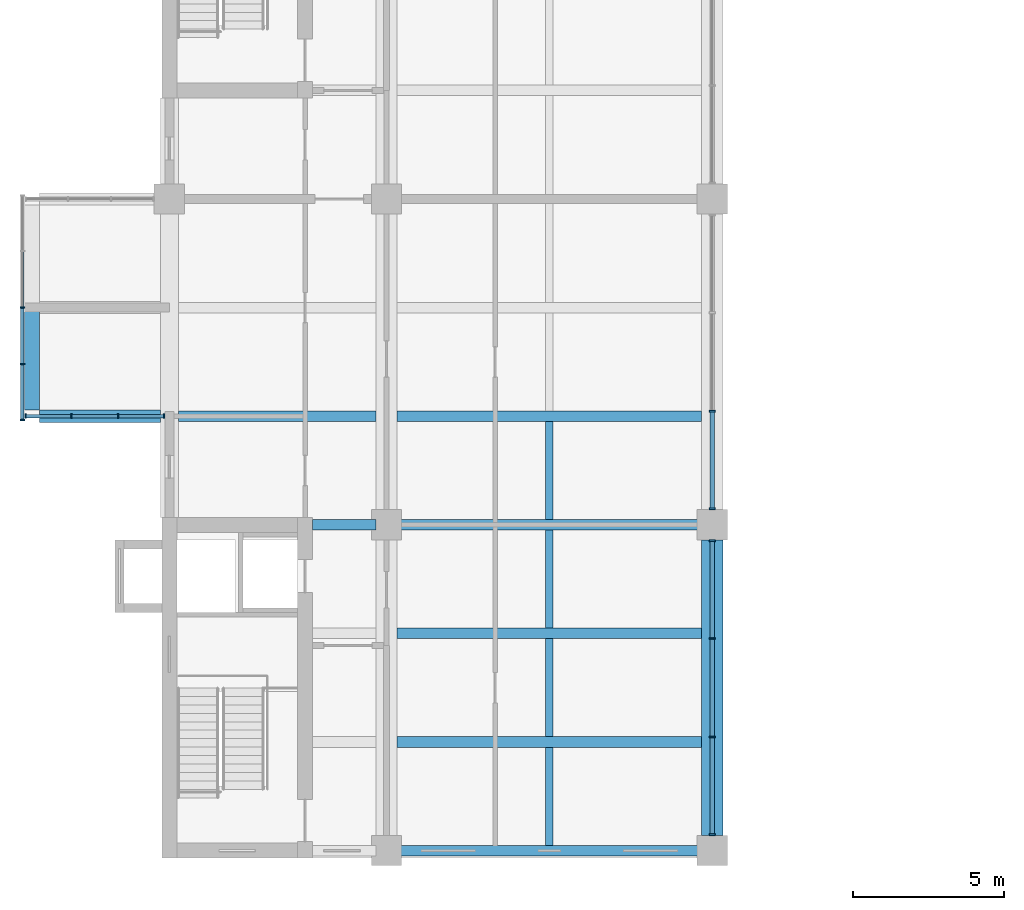
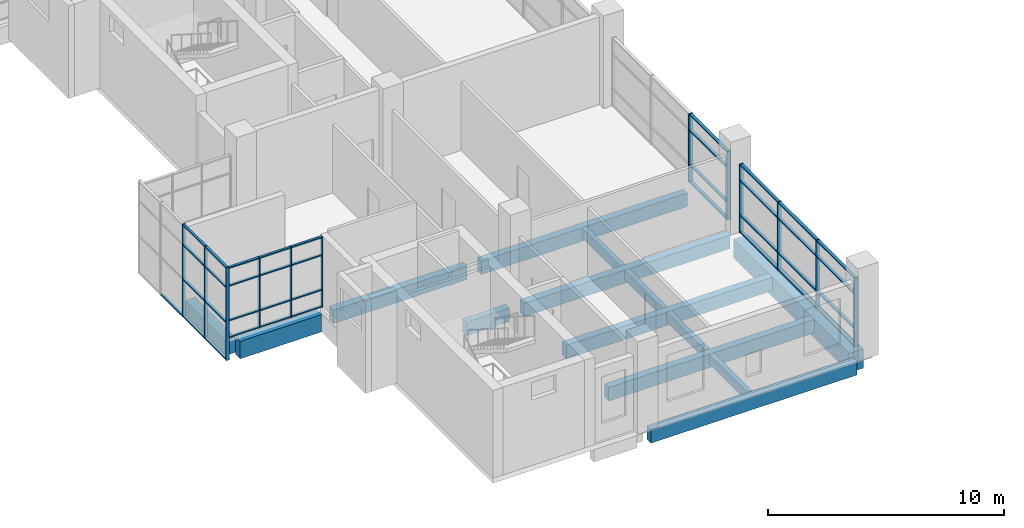
# One storey, part 2 of 30: 50 members, 14 beams, 4 elements without a shape of their own.
"""IFC4 building model written with IfcOpenShell, lengths in metres."""

from ifc_helpers import new_model, si_unit, direction, frame, origin, origin_2d, place, context, subcontext, project, spatial, rectangle, extrude, material, layer, layer_set, material_profile, profile_set, type_object, element, aggregate, save


model = new_model("IFC4")

# Units and contexts
model_context = context("Model", 3, precision=1e-05, world=origin(), true_north=direction((0.0, 1.0)))
body_context = subcontext(model_context, "Body", "Model", "MODEL_VIEW")
ifc_project = project(units=[si_unit("LENGTHUNIT", "METRE"), si_unit("AREAUNIT", "SQUARE_METRE"), si_unit("VOLUMEUNIT", "CUBIC_METRE"), si_unit("PLANEANGLEUNIT", "RADIAN"), si_unit("MASSUNIT", "GRAM", prefix="KILO")], contexts=[model_context])

# Site, building, storey
site_placement = place(None, origin())
site = spatial("IfcSite", under=ifc_project, at=site_placement, CompositionType="ELEMENT")
building_placement = place(site_placement, origin())
building = spatial("IfcBuilding", under=site, at=building_placement, Name="Basin Gate Institute", CompositionType="ELEMENT")
storey_placement = place(building_placement, frame((0.0, 0.0, 36.60009765625)))
storey = spatial("IfcBuildingStorey", under=building, at=storey_placement, Name="L07", CompositionType="ELEMENT", Elevation=36.60009765625)

# Beams
ifc_material_1 = material(Name="Concrete 40 MPa", Category="concrete")
ifc_material_profile_1 = material_profile(ifc_material_1, rectangle(XDim=0.35009765625, YDim=0.699951171875, at=origin_2d()), Name="Beam B1 350 x 700")
ifc_profile_set_1 = profile_set([ifc_material_profile_1], Name="Concrete 40 MPa")
beam_type_1 = type_object("IfcBeamType", Name="Beam B1 R120", PredefinedType="BEAM", material=ifc_profile_set_1)
for number, where, z_axis, x_axis, name in (
    (1, (68.75, 35.10009765625, -0.60009765625), (1.0, 0.0, 0.0), (0.0, 1.0, 0.0), "BEAM/L07/W/EW/01"),
    (2, (68.75, 38.699951171875, -0.60009765625), (1.0, 0.0, 0.0), (0.0, 1.0, 0.0), "BEAM/L07/W/EW/02"),
    (3, (68.75, 42.300048828125, -0.60009765625), (1.0, 0.0, 0.0), (0.0, 1.0, 0.0), "BEAM/L07/W/EW/03"),
    (4, (68.75, 45.89990234375, -0.60009765625), (1.0, 0.0, 0.0), (0.0, 1.0, 0.0), "BEAM/L07/W/EW/04"),
):
    element("IfcBeam", number, at=place(storey_placement, frame(where, z_axis=z_axis, x_axis=x_axis)), inside=storey, type_object=beam_type_1, material=ifc_profile_set_1, Name=name, PredefinedType="BEAM", context=body_context, shape_type="SweptSolid", body=[
        extrude(rectangle(XDim=0.35009765625, YDim=0.699951171875, at=origin_2d()), origin(), (0.0, 0.0, 1.0), 10.10009765625),
    ])
beam_1_placement = place(storey_placement, frame((65.949951171875, 45.89990234375, -0.60009765625), z_axis=(1.0, 0.0, 0.0), x_axis=(0.0, 1.0, 0.0)))
element("IfcBeam", 5, at=beam_1_placement, inside=storey, type_object=beam_type_1, material=ifc_profile_set_1, Name="BEAM/L07/W/CORR/04", PredefinedType="BEAM", context=body_context, shape_type="SweptSolid", body=[
    extrude(rectangle(XDim=0.35009765625, YDim=0.699951171875, at=origin_2d()), origin(), (0.0, 0.0, 1.0), 2.10009765625),
])
beam_2_placement = place(storey_placement, frame((68.75, 49.5, -0.60009765625), z_axis=(1.0, 0.0, 0.0), x_axis=(0.0, 1.0, 0.0)))
element("IfcBeam", 6, at=beam_2_placement, inside=storey, type_object=beam_type_1, material=ifc_profile_set_1, Name="BEAM/L07/W/EW/05", PredefinedType="BEAM", context=body_context, shape_type="SweptSolid", body=[
    extrude(rectangle(XDim=0.35009765625, YDim=0.699951171875, at=origin_2d()), origin(), (0.0, 0.0, 1.0), 10.10009765625),
])
beam_3_placement = place(storey_placement, frame((61.5, 49.5, -0.60009765625), z_axis=(1.0, 0.0, 0.0), x_axis=(0.0, 1.0, 0.0)))
element("IfcBeam", 7, at=beam_3_placement, inside=storey, type_object=beam_type_1, material=ifc_profile_set_1, Name="BEAM/L07/W/OUT/05", PredefinedType="BEAM", context=body_context, shape_type="SweptSolid", body=[
    extrude(rectangle(XDim=0.35009765625, YDim=0.699951171875, at=origin_2d()), origin(), (0.0, 0.0, 1.0), 6.550048828125),
])
ifc_material_2 = material(Name="Concrete 50 MPa", Category="concrete")
ifc_material_profile_2 = material_profile(ifc_material_2, rectangle(XDim=0.39990234375, YDim=0.89990234375, at=origin_2d()), Name="Cantilever beam B3 400 x 900")
ifc_profile_set_2 = profile_set([ifc_material_profile_2], Name="Concrete 50 MPa")
beam_type_2 = type_object("IfcBeamType", Name="Cantilever beam B3 R120", PredefinedType="BEAM", material=ifc_profile_set_2)
beam_4_placement = place(storey_placement, frame((56.89990234375, 49.5, -0.7001953125), z_axis=(1.0, 0.0, 0.0), x_axis=(0.0, 1.0, 0.0)))
element("IfcBeam", 8, at=beam_4_placement, inside=storey, type_object=beam_type_2, material=ifc_profile_set_2, Name="BEAM/L07/W/CANT/05", PredefinedType="BEAM", context=body_context, shape_type="SweptSolid", body=[
    extrude(rectangle(XDim=0.39990234375, YDim=0.89990234375, at=origin_2d()), origin(), (0.0, 0.0, 1.0), 4.0),
])
ifc_material_3 = material(Name="Concrete 50 MPa", Category="concrete")
ifc_material_profile_3 = material_profile(ifc_material_3, rectangle(XDim=0.699951171875, YDim=1.0, at=origin_2d()), Name="Girder G1 700 x 1000")
ifc_profile_set_3 = profile_set([ifc_material_profile_3], Name="Concrete 50 MPa")
beam_type_3 = type_object("IfcBeamType", Name="Girder G1 R120", PredefinedType="BEAM", material=ifc_profile_set_3)
beam_5_placement = place(storey_placement, frame((79.199951171875, 35.60009765625, -0.75), z_axis=(0.0, 1.0, 0.0), x_axis=(-1.0, 0.0, 0.0)))
element("IfcBeam", 9, at=beam_5_placement, inside=storey, type_object=beam_type_3, material=ifc_profile_set_3, Name="GIR/L07/W6/1", PredefinedType="BEAM", context=body_context, shape_type="SweptSolid", body=[
    extrude(rectangle(XDim=0.699951171875, YDim=1.0, at=origin_2d()), origin(), (0.0, 0.0, 1.0), 9.7998046875),
])

# Curtain wall, members
ifc_material_4 = material(Name="Aluminium-framed glazing", Category="aluminium")
ifc_layer_1 = layer(ifc_material_4, 0.14990234375)
ifc_layer_set_1 = layer_set([ifc_layer_1], Name="Capsule front curtain wall CW1")
curtain_wall_type_1 = type_object("IfcCurtainWallType", Name="Capsule front curtain wall CW1", PredefinedType="NOTDEFINED", material=ifc_layer_set_1)
curtain_wall_1_placement = place(storey_placement, origin())
curtain_wall_1 = element("IfcCurtainWall", 10, at=curtain_wall_1_placement, inside=storey, type_object=curtain_wall_type_1, material=ifc_layer_set_1, Name="Capsule front curtain wall W wing capsule end L07 line 5", PredefinedType="NOTDEFINED")
ifc_material_5 = material(Name="Aluminium", Category="aluminium")
ifc_material_profile_4 = material_profile(ifc_material_5, rectangle(XDim=0.14990234375, YDim=0.050048828125, at=origin_2d()), Name="Mullion MU1 150 x 50")
ifc_profile_set_4 = profile_set([ifc_material_profile_4], Name="Aluminium")
member_type_1 = type_object("IfcMemberType", Name="Mullion MU1", PredefinedType="MULLION", material=ifc_profile_set_4)
member_1_placement = place(storey_placement, frame((56.425048828125, 49.5, 0.0), z_axis=(0.0, 0.0, 1.0), x_axis=(0.0, 1.0, 0.0)))
member_1 = element("IfcMember", 11, at=member_1_placement, type_object=member_type_1, material=ifc_profile_set_4, Name="CW1 mullion 1", PredefinedType="MULLION", context=body_context, shape_type="SweptSolid", body=[
    extrude(rectangle(XDim=0.14990234375, YDim=0.050048828125, at=origin_2d()), origin(), (0.0, 0.0, 1.0), 3.64990234375),
])
member_2_placement = place(storey_placement, frame((57.949951171875, 49.5, 0.0), z_axis=(0.0, 0.0, 1.0), x_axis=(0.0, 1.0, 0.0)))
member_2 = element("IfcMember", 12, at=member_2_placement, type_object=member_type_1, material=ifc_profile_set_4, Name="CW1 mullion 2", PredefinedType="MULLION", context=body_context, shape_type="SweptSolid", body=[
    extrude(rectangle(XDim=0.14990234375, YDim=0.050048828125, at=origin_2d()), origin(), (0.0, 0.0, 1.0), 3.64990234375),
])
member_3_placement = place(storey_placement, frame((59.5, 49.5, 0.0), z_axis=(0.0, 0.0, 1.0), x_axis=(0.0, 1.0, 0.0)))
member_3 = element("IfcMember", 13, at=member_3_placement, type_object=member_type_1, material=ifc_profile_set_4, Name="CW1 mullion 3", PredefinedType="MULLION", context=body_context, shape_type="SweptSolid", body=[
    extrude(rectangle(XDim=0.14990234375, YDim=0.050048828125, at=origin_2d()), origin(), (0.0, 0.0, 1.0), 3.64990234375),
])
member_4_placement = place(storey_placement, frame((61.02490234375, 49.5, 0.0), z_axis=(0.0, 0.0, 1.0), x_axis=(0.0, 1.0, 0.0)))
member_4 = element("IfcMember", 14, at=member_4_placement, type_object=member_type_1, material=ifc_profile_set_4, Name="CW1 mullion 4", PredefinedType="MULLION", context=body_context, shape_type="SweptSolid", body=[
    extrude(rectangle(XDim=0.14990234375, YDim=0.050048828125, at=origin_2d()), origin(), (0.0, 0.0, 1.0), 3.64990234375),
])

curtain_wall_2_placement = place(storey_placement, origin())
curtain_wall_2 = element("IfcCurtainWall", 15, at=curtain_wall_2_placement, inside=storey, type_object=curtain_wall_type_1, material=ifc_layer_set_1, Name="Capsule front curtain wall W wing capsule 1 L07 front 2", PredefinedType="NOTDEFINED")
member_5_placement = place(storey_placement, frame((56.324951171875, 49.375, -1.050048828125), z_axis=(0.0, 0.0, 1.0), x_axis=(-1.0, 0.0, 0.0)))
member_5 = element("IfcMember", 16, at=member_5_placement, type_object=member_type_1, material=ifc_profile_set_4, Name="CW1 mullion 1", PredefinedType="MULLION", context=body_context, shape_type="SweptSolid", body=[
    extrude(rectangle(XDim=0.14990234375, YDim=0.050048828125, at=origin_2d()), origin(), (0.0, 0.0, 1.0), 4.800048828125),
])
member_6_placement = place(storey_placement, frame((56.324951171875, 51.22509765625, -1.050048828125), z_axis=(0.0, 0.0, 1.0), x_axis=(-1.0, 0.0, 0.0)))
member_6 = element("IfcMember", 17, at=member_6_placement, type_object=member_type_1, material=ifc_profile_set_4, Name="CW1 mullion 2", PredefinedType="MULLION", context=body_context, shape_type="SweptSolid", body=[
    extrude(rectangle(XDim=0.14990234375, YDim=0.050048828125, at=origin_2d()), origin(), (0.0, 0.0, 1.0), 4.800048828125),
])
member_7_placement = place(storey_placement, frame((56.324951171875, 53.10009765625, -1.050048828125), z_axis=(0.0, 0.0, 1.0), x_axis=(-1.0, 0.0, 0.0)))
member_7 = element("IfcMember", 18, at=member_7_placement, type_object=member_type_1, material=ifc_profile_set_4, Name="CW1 mullion 3", PredefinedType="MULLION", context=body_context, shape_type="SweptSolid", body=[
    extrude(rectangle(XDim=0.14990234375, YDim=0.050048828125, at=origin_2d()), origin(), (0.0, 0.0, 1.0), 4.800048828125),
])

ifc_material_6 = material(Name="Aluminium-framed glazing", Category="aluminium")
ifc_layer_2 = layer(ifc_material_6, 0.199951171875)
ifc_layer_set_2 = layer_set([ifc_layer_2], Name="Atrium curtain wall CW2")
curtain_wall_type_2 = type_object("IfcCurtainWallType", Name="Atrium curtain wall CW2", PredefinedType="NOTDEFINED", material=ifc_layer_set_2)
curtain_wall_3_placement = place(storey_placement, origin())
curtain_wall_3 = element("IfcCurtainWall", 19, at=curtain_wall_3_placement, inside=storey, type_object=curtain_wall_type_2, material=ifc_layer_set_2, Name="Atrium curtain wall W wing atrium bay 1 L07", PredefinedType="NOTDEFINED")
ifc_material_7 = material(Name="Aluminium", Category="aluminium")
ifc_material_profile_5 = material_profile(ifc_material_7, rectangle(XDim=0.199951171875, YDim=0.06005859375, at=origin_2d()), Name="Mullion MU2 200 x 60")
ifc_profile_set_5 = profile_set([ifc_material_profile_5], Name="Aluminium")
member_type_2 = type_object("IfcMemberType", Name="Mullion MU2", PredefinedType="MULLION", material=ifc_profile_set_5)
member_8_placement = place(storey_placement, frame((79.199951171875, 35.6298828125, 0.0), z_axis=(0.0, 0.0, 1.0), x_axis=(-1.0, 0.0, 0.0)))
member_8 = element("IfcMember", 20, at=member_8_placement, type_object=member_type_2, material=ifc_profile_set_5, Name="CW2 mullion 1", PredefinedType="MULLION", context=body_context, shape_type="SweptSolid", body=[
    extrude(rectangle(XDim=0.199951171875, YDim=0.06005859375, at=origin_2d()), origin(), (0.0, 0.0, 1.0), 3.5498046875),
])
member_9_placement = place(storey_placement, frame((79.199951171875, 38.86669921875, 0.0), z_axis=(0.0, 0.0, 1.0), x_axis=(-1.0, 0.0, 0.0)))
member_9 = element("IfcMember", 21, at=member_9_placement, type_object=member_type_2, material=ifc_profile_set_5, Name="CW2 mullion 2", PredefinedType="MULLION", context=body_context, shape_type="SweptSolid", body=[
    extrude(rectangle(XDim=0.199951171875, YDim=0.06005859375, at=origin_2d()), origin(), (0.0, 0.0, 1.0), 3.5498046875),
])
member_10_placement = place(storey_placement, frame((79.199951171875, 42.13330078125, 0.0), z_axis=(0.0, 0.0, 1.0), x_axis=(-1.0, 0.0, 0.0)))
member_10 = element("IfcMember", 22, at=member_10_placement, type_object=member_type_2, material=ifc_profile_set_5, Name="CW2 mullion 3", PredefinedType="MULLION", context=body_context, shape_type="SweptSolid", body=[
    extrude(rectangle(XDim=0.199951171875, YDim=0.06005859375, at=origin_2d()), origin(), (0.0, 0.0, 1.0), 3.5498046875),
])
member_11_placement = place(storey_placement, frame((79.199951171875, 45.3701171875, 0.0), z_axis=(0.0, 0.0, 1.0), x_axis=(-1.0, 0.0, 0.0)))
member_11 = element("IfcMember", 23, at=member_11_placement, type_object=member_type_2, material=ifc_profile_set_5, Name="CW2 mullion 4", PredefinedType="MULLION", context=body_context, shape_type="SweptSolid", body=[
    extrude(rectangle(XDim=0.199951171875, YDim=0.06005859375, at=origin_2d()), origin(), (0.0, 0.0, 1.0), 3.5498046875),
])

curtain_wall_4_placement = place(storey_placement, origin())
curtain_wall_4 = element("IfcCurtainWall", 24, at=curtain_wall_4_placement, inside=storey, type_object=curtain_wall_type_2, material=ifc_layer_set_2, Name="Atrium curtain wall W wing atrium bay 2 L07", PredefinedType="NOTDEFINED")
member_12_placement = place(storey_placement, frame((79.199951171875, 46.429931640625, 0.0), z_axis=(0.0, 0.0, 1.0), x_axis=(-1.0, 0.0, 0.0)))
member_12 = element("IfcMember", 25, at=member_12_placement, type_object=member_type_2, material=ifc_profile_set_5, Name="CW2 mullion 1", PredefinedType="MULLION", context=body_context, shape_type="SweptSolid", body=[
    extrude(rectangle(XDim=0.199951171875, YDim=0.06005859375, at=origin_2d()), origin(), (0.0, 0.0, 1.0), 3.5498046875),
])
member_13_placement = place(storey_placement, frame((79.199951171875, 49.666748046875, 0.0), z_axis=(0.0, 0.0, 1.0), x_axis=(-1.0, 0.0, 0.0)))
member_13 = element("IfcMember", 26, at=member_13_placement, type_object=member_type_2, material=ifc_profile_set_5, Name="CW2 mullion 2", PredefinedType="MULLION", context=body_context, shape_type="SweptSolid", body=[
    extrude(rectangle(XDim=0.199951171875, YDim=0.06005859375, at=origin_2d()), origin(), (0.0, 0.0, 1.0), 3.5498046875),
])

# Beams
ifc_material_8 = material(Name="Concrete 40 MPa", Category="concrete")
ifc_material_profile_6 = material_profile(ifc_material_8, rectangle(XDim=0.25, YDim=0.5, at=origin_2d()), Name="Rib R1 250 x 500")
ifc_profile_set_6 = profile_set([ifc_material_profile_6], Name="Concrete 40 MPa")
beam_type_4 = type_object("IfcBeamType", Name="Rib R1 R120", PredefinedType="JOIST", material=ifc_profile_set_6)
for number, where, z_axis, x_axis, name in (
    (27, (73.800048828125, 35.27490234375, -0.5), (0.0, 1.0, 0.0), (-1.0, 0.0, 0.0), "BEAM/L07/W/RIB/01"),
    (28, (73.800048828125, 38.875, -0.5), (0.0, 1.0, 0.0), (-1.0, 0.0, 0.0), "BEAM/L07/W/RIB/02"),
    (29, (73.800048828125, 42.47509765625, -0.5), (0.0, 1.0, 0.0), (-1.0, 0.0, 0.0), "BEAM/L07/W/RIB/03"),
    (30, (73.800048828125, 46.074951171875, -0.5), (0.0, 1.0, 0.0), (-1.0, 0.0, 0.0), "BEAM/L07/W/RIB/04"),
):
    element("IfcBeam", number, at=place(storey_placement, frame(where, z_axis=z_axis, x_axis=x_axis)), inside=storey, type_object=beam_type_4, material=ifc_profile_set_6, Name=name, PredefinedType="JOIST", context=body_context, shape_type="SweptSolid", body=[
        extrude(rectangle(XDim=0.25, YDim=0.5, at=origin_2d()), origin(), (0.0, 0.0, 1.0), 3.25),
    ])
ifc_material_9 = material(Name="Concrete 50 MPa", Category="concrete")
ifc_material_profile_7 = material_profile(ifc_material_9, rectangle(XDim=0.5, YDim=0.800048828125, at=origin_2d()), Name="Tip beam TB1 500 x 800")
ifc_profile_set_7 = profile_set([ifc_material_profile_7], Name="Concrete 50 MPa")
beam_type_5 = type_object("IfcBeamType", Name="Tip beam TB1 R120", PredefinedType="SPANDREL", material=ifc_profile_set_7)
beam_6_placement = place(storey_placement, frame((56.64990234375, 49.699951171875, -0.650146484375), z_axis=(0.0, 1.0, 0.0), x_axis=(-1.0, 0.0, 0.0)))
element("IfcBeam", 31, at=beam_6_placement, inside=storey, type_object=beam_type_5, material=ifc_profile_set_7, Name="BEAM/L07/W/TIP/2", PredefinedType="SPANDREL", context=body_context, shape_type="SweptSolid", body=[
    extrude(rectangle(XDim=0.5, YDim=0.800048828125, at=origin_2d()), origin(), (0.0, 0.0, 1.0), 3.400146484375),
])

# Member
ifc_material_10 = material(Name="Aluminium", Category="aluminium")
ifc_material_profile_8 = material_profile(ifc_material_10, rectangle(XDim=0.1201171875, YDim=0.06005859375, at=origin_2d()), Name="Transom TR1 120 x 60")
ifc_profile_set_8 = profile_set([ifc_material_profile_8], Name="Aluminium")
member_type_3 = type_object("IfcMemberType", Name="Transom TR1", PredefinedType="USERDEFINED", material=ifc_profile_set_8)
member_14_placement = place(storey_placement, frame((56.449951171875, 49.5, 0.02978515625), z_axis=(1.0, 0.0, 0.0), x_axis=(0.0, 1.0, 0.0)))
member_14 = element("IfcMember", 32, at=member_14_placement, type_object=member_type_3, material=ifc_profile_set_8, Name="CW1 transom 1.1", ObjectType="TRANSOM", PredefinedType="USERDEFINED", context=body_context, shape_type="SweptSolid", body=[
    extrude(rectangle(XDim=0.1201171875, YDim=0.06005859375, at=origin_2d()), origin(), (0.0, 0.0, 1.0), 1.47509765625),
])

member_15_placement = place(storey_placement, frame((56.449951171875, 49.5, 0.89990234375), z_axis=(1.0, 0.0, 0.0), x_axis=(0.0, 1.0, 0.0)))
member_15 = element("IfcMember", 33, at=member_15_placement, type_object=member_type_3, material=ifc_profile_set_8, Name="CW1 transom 1.2", ObjectType="TRANSOM", PredefinedType="USERDEFINED", context=body_context, shape_type="SweptSolid", body=[
    extrude(rectangle(XDim=0.1201171875, YDim=0.06005859375, at=origin_2d()), origin(), (0.0, 0.0, 1.0), 1.47509765625),
])

member_16_placement = place(storey_placement, frame((56.449951171875, 49.5, 2.699951171875), z_axis=(1.0, 0.0, 0.0), x_axis=(0.0, 1.0, 0.0)))
member_16 = element("IfcMember", 34, at=member_16_placement, type_object=member_type_3, material=ifc_profile_set_8, Name="CW1 transom 1.3", ObjectType="TRANSOM", PredefinedType="USERDEFINED", context=body_context, shape_type="SweptSolid", body=[
    extrude(rectangle(XDim=0.1201171875, YDim=0.06005859375, at=origin_2d()), origin(), (0.0, 0.0, 1.0), 1.47509765625),
])

member_17_placement = place(storey_placement, frame((56.449951171875, 49.5, 3.619873046875), z_axis=(1.0, 0.0, 0.0), x_axis=(0.0, 1.0, 0.0)))
member_17 = element("IfcMember", 35, at=member_17_placement, type_object=member_type_3, material=ifc_profile_set_8, Name="CW1 transom 1.4", ObjectType="TRANSOM", PredefinedType="USERDEFINED", context=body_context, shape_type="SweptSolid", body=[
    extrude(rectangle(XDim=0.1201171875, YDim=0.06005859375, at=origin_2d()), origin(), (0.0, 0.0, 1.0), 1.47509765625),
])

member_18_placement = place(storey_placement, frame((57.97509765625, 49.5, 0.02978515625), z_axis=(1.0, 0.0, 0.0), x_axis=(0.0, 1.0, 0.0)))
member_18 = element("IfcMember", 36, at=member_18_placement, type_object=member_type_3, material=ifc_profile_set_8, Name="CW1 transom 2.1", ObjectType="TRANSOM", PredefinedType="USERDEFINED", context=body_context, shape_type="SweptSolid", body=[
    extrude(rectangle(XDim=0.1201171875, YDim=0.06005859375, at=origin_2d()), origin(), (0.0, 0.0, 1.0), 1.5),
])

member_19_placement = place(storey_placement, frame((57.97509765625, 49.5, 0.89990234375), z_axis=(1.0, 0.0, 0.0), x_axis=(0.0, 1.0, 0.0)))
member_19 = element("IfcMember", 37, at=member_19_placement, type_object=member_type_3, material=ifc_profile_set_8, Name="CW1 transom 2.2", ObjectType="TRANSOM", PredefinedType="USERDEFINED", context=body_context, shape_type="SweptSolid", body=[
    extrude(rectangle(XDim=0.1201171875, YDim=0.06005859375, at=origin_2d()), origin(), (0.0, 0.0, 1.0), 1.5),
])

member_20_placement = place(storey_placement, frame((57.97509765625, 49.5, 2.699951171875), z_axis=(1.0, 0.0, 0.0), x_axis=(0.0, 1.0, 0.0)))
member_20 = element("IfcMember", 38, at=member_20_placement, type_object=member_type_3, material=ifc_profile_set_8, Name="CW1 transom 2.3", ObjectType="TRANSOM", PredefinedType="USERDEFINED", context=body_context, shape_type="SweptSolid", body=[
    extrude(rectangle(XDim=0.1201171875, YDim=0.06005859375, at=origin_2d()), origin(), (0.0, 0.0, 1.0), 1.5),
])

member_21_placement = place(storey_placement, frame((57.97509765625, 49.5, 3.619873046875), z_axis=(1.0, 0.0, 0.0), x_axis=(0.0, 1.0, 0.0)))
member_21 = element("IfcMember", 39, at=member_21_placement, type_object=member_type_3, material=ifc_profile_set_8, Name="CW1 transom 2.4", ObjectType="TRANSOM", PredefinedType="USERDEFINED", context=body_context, shape_type="SweptSolid", body=[
    extrude(rectangle(XDim=0.1201171875, YDim=0.06005859375, at=origin_2d()), origin(), (0.0, 0.0, 1.0), 1.5),
])

member_22_placement = place(storey_placement, frame((59.52490234375, 49.5, 0.02978515625), z_axis=(1.0, 0.0, 0.0), x_axis=(0.0, 1.0, 0.0)))
member_22 = element("IfcMember", 40, at=member_22_placement, type_object=member_type_3, material=ifc_profile_set_8, Name="CW1 transom 3.1", ObjectType="TRANSOM", PredefinedType="USERDEFINED", context=body_context, shape_type="SweptSolid", body=[
    extrude(rectangle(XDim=0.1201171875, YDim=0.06005859375, at=origin_2d()), origin(), (0.0, 0.0, 1.0), 1.47509765625),
])

member_23_placement = place(storey_placement, frame((59.52490234375, 49.5, 0.89990234375), z_axis=(1.0, 0.0, 0.0), x_axis=(0.0, 1.0, 0.0)))
member_23 = element("IfcMember", 41, at=member_23_placement, type_object=member_type_3, material=ifc_profile_set_8, Name="CW1 transom 3.2", ObjectType="TRANSOM", PredefinedType="USERDEFINED", context=body_context, shape_type="SweptSolid", body=[
    extrude(rectangle(XDim=0.1201171875, YDim=0.06005859375, at=origin_2d()), origin(), (0.0, 0.0, 1.0), 1.47509765625),
])

member_24_placement = place(storey_placement, frame((59.52490234375, 49.5, 2.699951171875), z_axis=(1.0, 0.0, 0.0), x_axis=(0.0, 1.0, 0.0)))
member_24 = element("IfcMember", 42, at=member_24_placement, type_object=member_type_3, material=ifc_profile_set_8, Name="CW1 transom 3.3", ObjectType="TRANSOM", PredefinedType="USERDEFINED", context=body_context, shape_type="SweptSolid", body=[
    extrude(rectangle(XDim=0.1201171875, YDim=0.06005859375, at=origin_2d()), origin(), (0.0, 0.0, 1.0), 1.47509765625),
])

member_25_placement = place(storey_placement, frame((59.52490234375, 49.5, 3.619873046875), z_axis=(1.0, 0.0, 0.0), x_axis=(0.0, 1.0, 0.0)))
member_25 = element("IfcMember", 43, at=member_25_placement, type_object=member_type_3, material=ifc_profile_set_8, Name="CW1 transom 3.4", ObjectType="TRANSOM", PredefinedType="USERDEFINED", context=body_context, shape_type="SweptSolid", body=[
    extrude(rectangle(XDim=0.1201171875, YDim=0.06005859375, at=origin_2d()), origin(), (0.0, 0.0, 1.0), 1.47509765625),
])

aggregate(curtain_wall_1, [member_1, member_2, member_3, member_4, member_14, member_15, member_16, member_17, member_18, member_19, member_20, member_21, member_22, member_23, member_24, member_25])

member_26_placement = place(storey_placement, frame((56.324951171875, 49.39990234375, -1.02001953125), z_axis=(0.0, 1.0, 0.0), x_axis=(-1.0, 0.0, 0.0)))
member_26 = element("IfcMember", 44, at=member_26_placement, type_object=member_type_3, material=ifc_profile_set_8, Name="CW1 transom 1.1", ObjectType="TRANSOM", PredefinedType="USERDEFINED", context=body_context, shape_type="SweptSolid", body=[
    extrude(rectangle(XDim=0.1201171875, YDim=0.06005859375, at=origin_2d()), origin(), (0.0, 0.0, 1.0), 1.800048828125),
])

member_27_placement = place(storey_placement, frame((56.324951171875, 49.39990234375, 0.89990234375), z_axis=(0.0, 1.0, 0.0), x_axis=(-1.0, 0.0, 0.0)))
member_27 = element("IfcMember", 45, at=member_27_placement, type_object=member_type_3, material=ifc_profile_set_8, Name="CW1 transom 1.2", ObjectType="TRANSOM", PredefinedType="USERDEFINED", context=body_context, shape_type="SweptSolid", body=[
    extrude(rectangle(XDim=0.1201171875, YDim=0.06005859375, at=origin_2d()), origin(), (0.0, 0.0, 1.0), 1.800048828125),
])

member_28_placement = place(storey_placement, frame((56.324951171875, 49.39990234375, 2.699951171875), z_axis=(0.0, 1.0, 0.0), x_axis=(-1.0, 0.0, 0.0)))
member_28 = element("IfcMember", 46, at=member_28_placement, type_object=member_type_3, material=ifc_profile_set_8, Name="CW1 transom 1.3", ObjectType="TRANSOM", PredefinedType="USERDEFINED", context=body_context, shape_type="SweptSolid", body=[
    extrude(rectangle(XDim=0.1201171875, YDim=0.06005859375, at=origin_2d()), origin(), (0.0, 0.0, 1.0), 1.800048828125),
])

member_29_placement = place(storey_placement, frame((56.324951171875, 49.39990234375, 3.719970703125), z_axis=(0.0, 1.0, 0.0), x_axis=(-1.0, 0.0, 0.0)))
member_29 = element("IfcMember", 47, at=member_29_placement, type_object=member_type_3, material=ifc_profile_set_8, Name="CW1 transom 1.4", ObjectType="TRANSOM", PredefinedType="USERDEFINED", context=body_context, shape_type="SweptSolid", body=[
    extrude(rectangle(XDim=0.1201171875, YDim=0.06005859375, at=origin_2d()), origin(), (0.0, 0.0, 1.0), 1.800048828125),
])

member_30_placement = place(storey_placement, frame((56.324951171875, 51.25, -1.02001953125), z_axis=(0.0, 1.0, 0.0), x_axis=(-1.0, 0.0, 0.0)))
member_30 = element("IfcMember", 48, at=member_30_placement, type_object=member_type_3, material=ifc_profile_set_8, Name="CW1 transom 2.1", ObjectType="TRANSOM", PredefinedType="USERDEFINED", context=body_context, shape_type="SweptSolid", body=[
    extrude(rectangle(XDim=0.1201171875, YDim=0.06005859375, at=origin_2d()), origin(), (0.0, 0.0, 1.0), 1.824951171875),
])

member_31_placement = place(storey_placement, frame((56.324951171875, 51.25, 0.89990234375), z_axis=(0.0, 1.0, 0.0), x_axis=(-1.0, 0.0, 0.0)))
member_31 = element("IfcMember", 49, at=member_31_placement, type_object=member_type_3, material=ifc_profile_set_8, Name="CW1 transom 2.2", ObjectType="TRANSOM", PredefinedType="USERDEFINED", context=body_context, shape_type="SweptSolid", body=[
    extrude(rectangle(XDim=0.1201171875, YDim=0.06005859375, at=origin_2d()), origin(), (0.0, 0.0, 1.0), 1.824951171875),
])

member_32_placement = place(storey_placement, frame((56.324951171875, 51.25, 2.699951171875), z_axis=(0.0, 1.0, 0.0), x_axis=(-1.0, 0.0, 0.0)))
member_32 = element("IfcMember", 50, at=member_32_placement, type_object=member_type_3, material=ifc_profile_set_8, Name="CW1 transom 2.3", ObjectType="TRANSOM", PredefinedType="USERDEFINED", context=body_context, shape_type="SweptSolid", body=[
    extrude(rectangle(XDim=0.1201171875, YDim=0.06005859375, at=origin_2d()), origin(), (0.0, 0.0, 1.0), 1.824951171875),
])

member_33_placement = place(storey_placement, frame((56.324951171875, 51.25, 3.719970703125), z_axis=(0.0, 1.0, 0.0), x_axis=(-1.0, 0.0, 0.0)))
member_33 = element("IfcMember", 51, at=member_33_placement, type_object=member_type_3, material=ifc_profile_set_8, Name="CW1 transom 2.4", ObjectType="TRANSOM", PredefinedType="USERDEFINED", context=body_context, shape_type="SweptSolid", body=[
    extrude(rectangle(XDim=0.1201171875, YDim=0.06005859375, at=origin_2d()), origin(), (0.0, 0.0, 1.0), 1.824951171875),
])

member_34_placement = place(storey_placement, frame((56.324951171875, 53.125, -1.02001953125), z_axis=(0.0, 1.0, 0.0), x_axis=(-1.0, 0.0, 0.0)))
member_34 = element("IfcMember", 52, at=member_34_placement, type_object=member_type_3, material=ifc_profile_set_8, Name="CW1 transom 3.1", ObjectType="TRANSOM", PredefinedType="USERDEFINED", context=body_context, shape_type="SweptSolid", body=[
    extrude(rectangle(XDim=0.1201171875, YDim=0.06005859375, at=origin_2d()), origin(), (0.0, 0.0, 1.0), 1.824951171875),
])

aggregate(curtain_wall_2, [member_5, member_6, member_7, member_26, member_27, member_28, member_29, member_30, member_31, member_32, member_33, member_34])

ifc_material_11 = material(Name="Aluminium", Category="aluminium")
ifc_material_profile_9 = material_profile(ifc_material_11, rectangle(XDim=0.14990234375, YDim=0.06005859375, at=origin_2d()), Name="Transom TR2 150 x 60")
ifc_profile_set_9 = profile_set([ifc_material_profile_9], Name="Aluminium")
member_type_4 = type_object("IfcMemberType", Name="Transom TR2", PredefinedType="USERDEFINED", material=ifc_profile_set_9)
member_35_placement = place(storey_placement, frame((79.199951171875, 35.659912109375, 0.02978515625), z_axis=(0.0, 1.0, 0.0), x_axis=(-1.0, 0.0, 0.0)))
member_35 = element("IfcMember", 53, at=member_35_placement, type_object=member_type_4, material=ifc_profile_set_9, Name="CW2 transom 1.1", ObjectType="TRANSOM", PredefinedType="USERDEFINED", context=body_context, shape_type="SweptSolid", body=[
    extrude(rectangle(XDim=0.14990234375, YDim=0.06005859375, at=origin_2d()), origin(), (0.0, 0.0, 1.0), 3.1767578125),
])

member_36_placement = place(storey_placement, frame((79.199951171875, 35.659912109375, 0.89990234375), z_axis=(0.0, 1.0, 0.0), x_axis=(-1.0, 0.0, 0.0)))
member_36 = element("IfcMember", 54, at=member_36_placement, type_object=member_type_4, material=ifc_profile_set_9, Name="CW2 transom 1.2", ObjectType="TRANSOM", PredefinedType="USERDEFINED", context=body_context, shape_type="SweptSolid", body=[
    extrude(rectangle(XDim=0.14990234375, YDim=0.06005859375, at=origin_2d()), origin(), (0.0, 0.0, 1.0), 3.1767578125),
])

member_37_placement = place(storey_placement, frame((79.199951171875, 35.659912109375, 2.699951171875), z_axis=(0.0, 1.0, 0.0), x_axis=(-1.0, 0.0, 0.0)))
member_37 = element("IfcMember", 55, at=member_37_placement, type_object=member_type_4, material=ifc_profile_set_9, Name="CW2 transom 1.3", ObjectType="TRANSOM", PredefinedType="USERDEFINED", context=body_context, shape_type="SweptSolid", body=[
    extrude(rectangle(XDim=0.14990234375, YDim=0.06005859375, at=origin_2d()), origin(), (0.0, 0.0, 1.0), 3.1767578125),
])

member_38_placement = place(storey_placement, frame((79.199951171875, 35.659912109375, 3.52001953125), z_axis=(0.0, 1.0, 0.0), x_axis=(-1.0, 0.0, 0.0)))
member_38 = element("IfcMember", 56, at=member_38_placement, type_object=member_type_4, material=ifc_profile_set_9, Name="CW2 transom 1.4", ObjectType="TRANSOM", PredefinedType="USERDEFINED", context=body_context, shape_type="SweptSolid", body=[
    extrude(rectangle(XDim=0.14990234375, YDim=0.06005859375, at=origin_2d()), origin(), (0.0, 0.0, 1.0), 3.1767578125),
])

member_39_placement = place(storey_placement, frame((79.199951171875, 38.896728515625, 0.02978515625), z_axis=(0.0, 1.0, 0.0), x_axis=(-1.0, 0.0, 0.0)))
member_39 = element("IfcMember", 57, at=member_39_placement, type_object=member_type_4, material=ifc_profile_set_9, Name="CW2 transom 2.1", ObjectType="TRANSOM", PredefinedType="USERDEFINED", context=body_context, shape_type="SweptSolid", body=[
    extrude(rectangle(XDim=0.14990234375, YDim=0.06005859375, at=origin_2d()), origin(), (0.0, 0.0, 1.0), 3.20654296875),
])

member_40_placement = place(storey_placement, frame((79.199951171875, 38.896728515625, 0.89990234375), z_axis=(0.0, 1.0, 0.0), x_axis=(-1.0, 0.0, 0.0)))
member_40 = element("IfcMember", 58, at=member_40_placement, type_object=member_type_4, material=ifc_profile_set_9, Name="CW2 transom 2.2", ObjectType="TRANSOM", PredefinedType="USERDEFINED", context=body_context, shape_type="SweptSolid", body=[
    extrude(rectangle(XDim=0.14990234375, YDim=0.06005859375, at=origin_2d()), origin(), (0.0, 0.0, 1.0), 3.20654296875),
])

member_41_placement = place(storey_placement, frame((79.199951171875, 38.896728515625, 2.699951171875), z_axis=(0.0, 1.0, 0.0), x_axis=(-1.0, 0.0, 0.0)))
member_41 = element("IfcMember", 59, at=member_41_placement, type_object=member_type_4, material=ifc_profile_set_9, Name="CW2 transom 2.3", ObjectType="TRANSOM", PredefinedType="USERDEFINED", context=body_context, shape_type="SweptSolid", body=[
    extrude(rectangle(XDim=0.14990234375, YDim=0.06005859375, at=origin_2d()), origin(), (0.0, 0.0, 1.0), 3.20654296875),
])

member_42_placement = place(storey_placement, frame((79.199951171875, 38.896728515625, 3.52001953125), z_axis=(0.0, 1.0, 0.0), x_axis=(-1.0, 0.0, 0.0)))
member_42 = element("IfcMember", 60, at=member_42_placement, type_object=member_type_4, material=ifc_profile_set_9, Name="CW2 transom 2.4", ObjectType="TRANSOM", PredefinedType="USERDEFINED", context=body_context, shape_type="SweptSolid", body=[
    extrude(rectangle(XDim=0.14990234375, YDim=0.06005859375, at=origin_2d()), origin(), (0.0, 0.0, 1.0), 3.20654296875),
])

member_43_placement = place(storey_placement, frame((79.199951171875, 42.163330078125, 0.02978515625), z_axis=(0.0, 1.0, 0.0), x_axis=(-1.0, 0.0, 0.0)))
member_43 = element("IfcMember", 61, at=member_43_placement, type_object=member_type_4, material=ifc_profile_set_9, Name="CW2 transom 3.1", ObjectType="TRANSOM", PredefinedType="USERDEFINED", context=body_context, shape_type="SweptSolid", body=[
    extrude(rectangle(XDim=0.14990234375, YDim=0.06005859375, at=origin_2d()), origin(), (0.0, 0.0, 1.0), 3.1767578125),
])

member_44_placement = place(storey_placement, frame((79.199951171875, 42.163330078125, 0.89990234375), z_axis=(0.0, 1.0, 0.0), x_axis=(-1.0, 0.0, 0.0)))
member_44 = element("IfcMember", 62, at=member_44_placement, type_object=member_type_4, material=ifc_profile_set_9, Name="CW2 transom 3.2", ObjectType="TRANSOM", PredefinedType="USERDEFINED", context=body_context, shape_type="SweptSolid", body=[
    extrude(rectangle(XDim=0.14990234375, YDim=0.06005859375, at=origin_2d()), origin(), (0.0, 0.0, 1.0), 3.1767578125),
])

member_45_placement = place(storey_placement, frame((79.199951171875, 42.163330078125, 2.699951171875), z_axis=(0.0, 1.0, 0.0), x_axis=(-1.0, 0.0, 0.0)))
member_45 = element("IfcMember", 63, at=member_45_placement, type_object=member_type_4, material=ifc_profile_set_9, Name="CW2 transom 3.3", ObjectType="TRANSOM", PredefinedType="USERDEFINED", context=body_context, shape_type="SweptSolid", body=[
    extrude(rectangle(XDim=0.14990234375, YDim=0.06005859375, at=origin_2d()), origin(), (0.0, 0.0, 1.0), 3.1767578125),
])

member_46_placement = place(storey_placement, frame((79.199951171875, 42.163330078125, 3.52001953125), z_axis=(0.0, 1.0, 0.0), x_axis=(-1.0, 0.0, 0.0)))
member_46 = element("IfcMember", 64, at=member_46_placement, type_object=member_type_4, material=ifc_profile_set_9, Name="CW2 transom 3.4", ObjectType="TRANSOM", PredefinedType="USERDEFINED", context=body_context, shape_type="SweptSolid", body=[
    extrude(rectangle(XDim=0.14990234375, YDim=0.06005859375, at=origin_2d()), origin(), (0.0, 0.0, 1.0), 3.1767578125),
])

aggregate(curtain_wall_3, [member_8, member_9, member_10, member_11, member_35, member_36, member_37, member_38, member_39, member_40, member_41, member_42, member_43, member_44, member_45, member_46])

member_47_placement = place(storey_placement, frame((79.199951171875, 46.4599609375, 0.02978515625), z_axis=(0.0, 1.0, 0.0), x_axis=(-1.0, 0.0, 0.0)))
member_47 = element("IfcMember", 65, at=member_47_placement, type_object=member_type_4, material=ifc_profile_set_9, Name="CW2 transom 1.1", ObjectType="TRANSOM", PredefinedType="USERDEFINED", context=body_context, shape_type="SweptSolid", body=[
    extrude(rectangle(XDim=0.14990234375, YDim=0.06005859375, at=origin_2d()), origin(), (0.0, 0.0, 1.0), 3.1767578125),
])

member_48_placement = place(storey_placement, frame((79.199951171875, 46.4599609375, 0.89990234375), z_axis=(0.0, 1.0, 0.0), x_axis=(-1.0, 0.0, 0.0)))
member_48 = element("IfcMember", 66, at=member_48_placement, type_object=member_type_4, material=ifc_profile_set_9, Name="CW2 transom 1.2", ObjectType="TRANSOM", PredefinedType="USERDEFINED", context=body_context, shape_type="SweptSolid", body=[
    extrude(rectangle(XDim=0.14990234375, YDim=0.06005859375, at=origin_2d()), origin(), (0.0, 0.0, 1.0), 3.1767578125),
])

member_49_placement = place(storey_placement, frame((79.199951171875, 46.4599609375, 2.699951171875), z_axis=(0.0, 1.0, 0.0), x_axis=(-1.0, 0.0, 0.0)))
member_49 = element("IfcMember", 67, at=member_49_placement, type_object=member_type_4, material=ifc_profile_set_9, Name="CW2 transom 1.3", ObjectType="TRANSOM", PredefinedType="USERDEFINED", context=body_context, shape_type="SweptSolid", body=[
    extrude(rectangle(XDim=0.14990234375, YDim=0.06005859375, at=origin_2d()), origin(), (0.0, 0.0, 1.0), 3.1767578125),
])

member_50_placement = place(storey_placement, frame((79.199951171875, 46.4599609375, 3.52001953125), z_axis=(0.0, 1.0, 0.0), x_axis=(-1.0, 0.0, 0.0)))
member_50 = element("IfcMember", 68, at=member_50_placement, type_object=member_type_4, material=ifc_profile_set_9, Name="CW2 transom 1.4", ObjectType="TRANSOM", PredefinedType="USERDEFINED", context=body_context, shape_type="SweptSolid", body=[
    extrude(rectangle(XDim=0.14990234375, YDim=0.06005859375, at=origin_2d()), origin(), (0.0, 0.0, 1.0), 3.1767578125),
])

aggregate(curtain_wall_4, [member_12, member_13, member_47, member_48, member_49, member_50])

save(model, "model.ifc")
